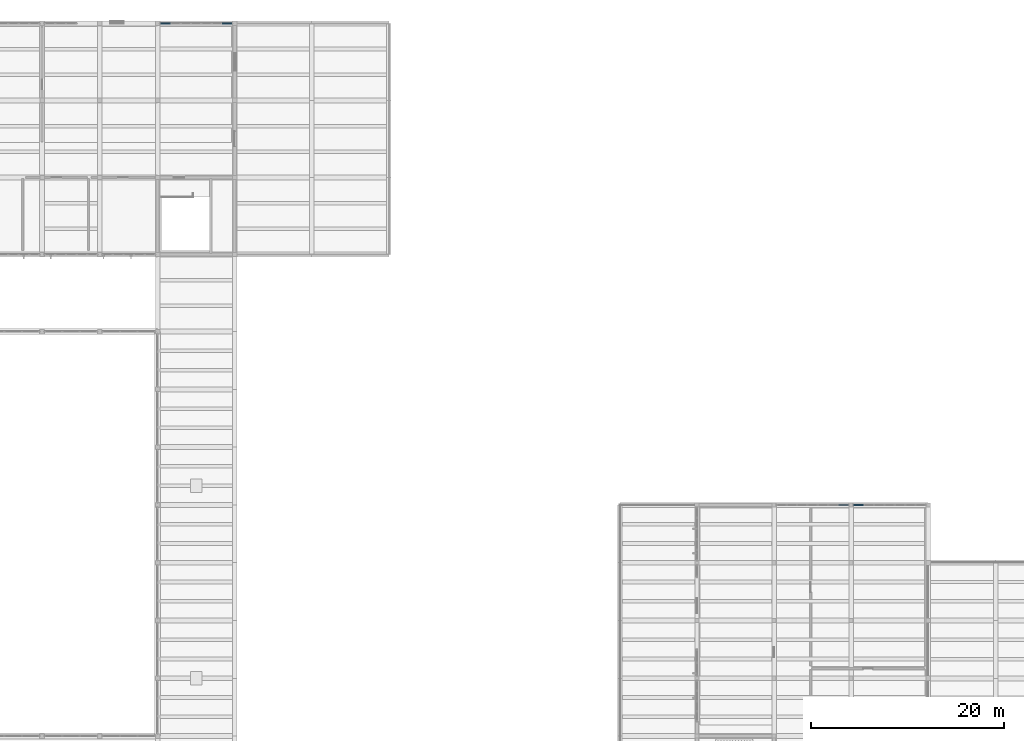
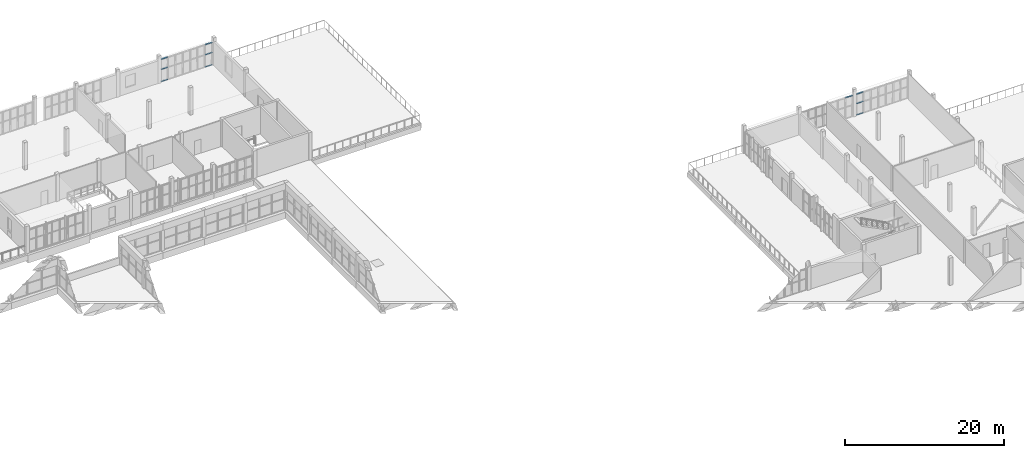
# One storey, part 37 of 70: 10 members, 3 elements without a shape of their own.
"""IFC4 building model written with IfcOpenShell, lengths in metres."""

from ifc_helpers import new_model, si_unit, direction, frame, origin, origin_2d, place, context, subcontext, project, spatial, rectangle, extrude, material, layer, layer_set, material_profile, profile_set, type_object, element, aggregate, save


model = new_model("IFC4")

# Units and contexts
model_context = context("Model", 3, precision=1e-05, world=origin(), true_north=direction((0.0, 1.0)))
body_context = subcontext(model_context, "Body", "Model", "MODEL_VIEW")
ifc_project = project(units=[si_unit("LENGTHUNIT", "METRE"), si_unit("AREAUNIT", "SQUARE_METRE"), si_unit("VOLUMEUNIT", "CUBIC_METRE"), si_unit("PLANEANGLEUNIT", "RADIAN"), si_unit("MASSUNIT", "GRAM", prefix="KILO")], contexts=[model_context])

# Site, building, storey
site_placement = place(None, origin())
site = spatial("IfcSite", under=ifc_project, at=site_placement, CompositionType="ELEMENT")
building_placement = place(site_placement, origin())
building = spatial("IfcBuilding", under=site, at=building_placement, Name="Solvane Community Centre", CompositionType="ELEMENT")
storey_placement = place(building_placement, frame((0.0, 0.0, 9.60009765625)))
storey = spatial("IfcBuildingStorey", under=building, at=storey_placement, Name="L02", CompositionType="ELEMENT", Elevation=9.60009765625)

# Curtain wall, member
ifc_material = material(Name="Anodised bronze aluminium AW-6063 T6", Category="aluminium")
ifc_layer_1 = layer(ifc_material, 0.18994140625)
ifc_layer_set_1 = layer_set([ifc_layer_1], Name="Anodised bronze aluminium AW-6063 T6")
curtain_wall_type_1 = type_object("IfcCurtainWallType", Name="Boulevard Bronze Vision Curtain Wall [75x32dm]", PredefinedType="NOTDEFINED", material=ifc_layer_set_1)
curtain_wall_1_placement = place(storey_placement, origin())
curtain_wall_1 = element("IfcCurtainWall", 1, at=curtain_wall_1_placement, inside=storey, type_object=curtain_wall_type_1, Name="Curtain Wall CW-L02-1242_600-200", PredefinedType="NOTDEFINED")
ifc_material_profile = material_profile(ifc_material, rectangle(XDim=0.14990234375, YDim=0.06005859375, at=origin_2d()), Name="CW-T 60x150")
ifc_profile_set = profile_set([ifc_material_profile], Name="Anodised bronze aluminium AW-6063 T6")
member_type = type_object("IfcMemberType", Name="Boulevard Transom 60x150", PredefinedType="USERDEFINED", material=ifc_profile_set)
member_1_placement = place(storey_placement, frame((130.71923828125, 60.0, 3.21484375), z_axis=(1.0, 0.0, 0.0), x_axis=(0.0, 1.0, 0.0)))
member_1 = element("IfcMember", 2, at=member_1_placement, type_object=member_type, Name="CW02-75x32 transom 7.3", ObjectType="TRANSOM", PredefinedType="USERDEFINED", context=body_context, shape_type="SweptSolid", body=[
    extrude(rectangle(XDim=0.14990234375, YDim=0.06005859375, at=origin_2d()), origin(), (0.0, 0.0, 1.0), 0.98583984375),
])
aggregate(curtain_wall_1, [member_1])

# Curtain wall, members
curtain_wall_2_placement = place(storey_placement, origin())
curtain_wall_2 = element("IfcCurtainWall", 3, at=curtain_wall_2_placement, inside=storey, type_object=curtain_wall_type_1, Name="Curtain Wall CW-L02-1322_600-201", PredefinedType="NOTDEFINED")
member_2_placement = place(storey_placement, frame((132.294921875, 60.0, 0.02978515625), z_axis=(1.0, 0.0, 0.0), x_axis=(0.0, 1.0, 0.0)))
member_2 = element("IfcMember", 4, at=member_2_placement, type_object=member_type, Name="CW02-75x32 transom 1.1", ObjectType="TRANSOM", PredefinedType="USERDEFINED", context=body_context, shape_type="SweptSolid", body=[
    extrude(rectangle(XDim=0.14990234375, YDim=0.06005859375, at=origin_2d()), origin(), (0.0, 0.0, 1.0), 0.98583984375),
])
member_3_placement = place(storey_placement, frame((132.294921875, 60.0, 1.784912109375), z_axis=(1.0, 0.0, 0.0), x_axis=(0.0, 1.0, 0.0)))
member_3 = element("IfcMember", 5, at=member_3_placement, type_object=member_type, Name="CW02-75x32 transom 1.2", ObjectType="TRANSOM", PredefinedType="USERDEFINED", context=body_context, shape_type="SweptSolid", body=[
    extrude(rectangle(XDim=0.14990234375, YDim=0.06005859375, at=origin_2d()), origin(), (0.0, 0.0, 1.0), 0.98583984375),
])
member_4_placement = place(storey_placement, frame((132.294921875, 60.0, 3.21484375), z_axis=(1.0, 0.0, 0.0), x_axis=(0.0, 1.0, 0.0)))
member_4 = element("IfcMember", 6, at=member_4_placement, type_object=member_type, Name="CW02-75x32 transom 1.3", ObjectType="TRANSOM", PredefinedType="USERDEFINED", context=body_context, shape_type="SweptSolid", body=[
    extrude(rectangle(XDim=0.14990234375, YDim=0.06005859375, at=origin_2d()), origin(), (0.0, 0.0, 1.0), 0.98583984375),
])
aggregate(curtain_wall_2, [member_2, member_3, member_4])

ifc_layer_2 = layer(ifc_material, 0.18994140625)
ifc_layer_set_2 = layer_set([ifc_layer_2], Name="Anodised bronze aluminium AW-6063 T6")
curtain_wall_type_2 = type_object("IfcCurtainWallType", Name="Boulevard Bronze Vision Curtain Wall [75x35dm]", PredefinedType="NOTDEFINED", material=ifc_layer_set_2)
curtain_wall_3_placement = place(storey_placement, origin())
curtain_wall_3 = element("IfcCurtainWall", 7, at=curtain_wall_3_placement, inside=storey, type_object=curtain_wall_type_2, Name="Curtain Wall CW-L02-602_1100-209", PredefinedType="NOTDEFINED")
member_5_placement = place(storey_placement, frame((60.304931640625, 110.0, 0.02978515625), z_axis=(1.0, 0.0, 0.0), x_axis=(0.0, 1.0, 0.0)))
member_5 = element("IfcMember", 8, at=member_5_placement, type_object=member_type, Name="CW02-75x35 transom 1.1", ObjectType="TRANSOM", PredefinedType="USERDEFINED", context=body_context, shape_type="SweptSolid", body=[
    extrude(rectangle(XDim=0.14990234375, YDim=0.06005859375, at=origin_2d()), origin(), (0.0, 0.0, 1.0), 0.98291015625),
])
member_6_placement = place(storey_placement, frame((60.304931640625, 110.0, 1.906005859375), z_axis=(1.0, 0.0, 0.0), x_axis=(0.0, 1.0, 0.0)))
member_6 = element("IfcMember", 9, at=member_6_placement, type_object=member_type, Name="CW02-75x35 transom 1.2", ObjectType="TRANSOM", PredefinedType="USERDEFINED", context=body_context, shape_type="SweptSolid", body=[
    extrude(rectangle(XDim=0.14990234375, YDim=0.06005859375, at=origin_2d()), origin(), (0.0, 0.0, 1.0), 0.98291015625),
])
member_7_placement = place(storey_placement, frame((60.304931640625, 110.0, 3.434814453125), z_axis=(1.0, 0.0, 0.0), x_axis=(0.0, 1.0, 0.0)))
member_7 = element("IfcMember", 10, at=member_7_placement, type_object=member_type, Name="CW02-75x35 transom 1.3", ObjectType="TRANSOM", PredefinedType="USERDEFINED", context=body_context, shape_type="SweptSolid", body=[
    extrude(rectangle(XDim=0.14990234375, YDim=0.06005859375, at=origin_2d()), origin(), (0.0, 0.0, 1.0), 0.98291015625),
])
member_8_placement = place(storey_placement, frame((66.712158203125, 110.0, 0.02978515625), z_axis=(1.0, 0.0, 0.0), x_axis=(0.0, 1.0, 0.0)))
member_8 = element("IfcMember", 11, at=member_8_placement, type_object=member_type, Name="CW02-75x35 transom 7.1", ObjectType="TRANSOM", PredefinedType="USERDEFINED", context=body_context, shape_type="SweptSolid", body=[
    extrude(rectangle(XDim=0.14990234375, YDim=0.06005859375, at=origin_2d()), origin(), (0.0, 0.0, 1.0), 0.98291015625),
])
member_9_placement = place(storey_placement, frame((66.712158203125, 110.0, 1.906005859375), z_axis=(1.0, 0.0, 0.0), x_axis=(0.0, 1.0, 0.0)))
member_9 = element("IfcMember", 12, at=member_9_placement, type_object=member_type, Name="CW02-75x35 transom 7.2", ObjectType="TRANSOM", PredefinedType="USERDEFINED", context=body_context, shape_type="SweptSolid", body=[
    extrude(rectangle(XDim=0.14990234375, YDim=0.06005859375, at=origin_2d()), origin(), (0.0, 0.0, 1.0), 0.98291015625),
])
member_10_placement = place(storey_placement, frame((66.712158203125, 110.0, 3.434814453125), z_axis=(1.0, 0.0, 0.0), x_axis=(0.0, 1.0, 0.0)))
member_10 = element("IfcMember", 13, at=member_10_placement, type_object=member_type, Name="CW02-75x35 transom 7.3", ObjectType="TRANSOM", PredefinedType="USERDEFINED", context=body_context, shape_type="SweptSolid", body=[
    extrude(rectangle(XDim=0.14990234375, YDim=0.06005859375, at=origin_2d()), origin(), (0.0, 0.0, 1.0), 0.98291015625),
])
aggregate(curtain_wall_3, [member_5, member_6, member_7, member_8, member_9, member_10])

save(model, "model.ifc")
